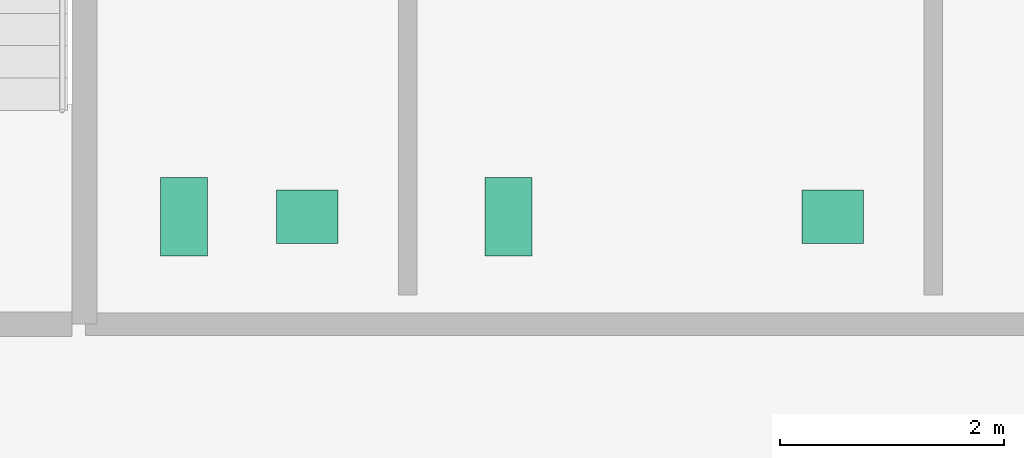
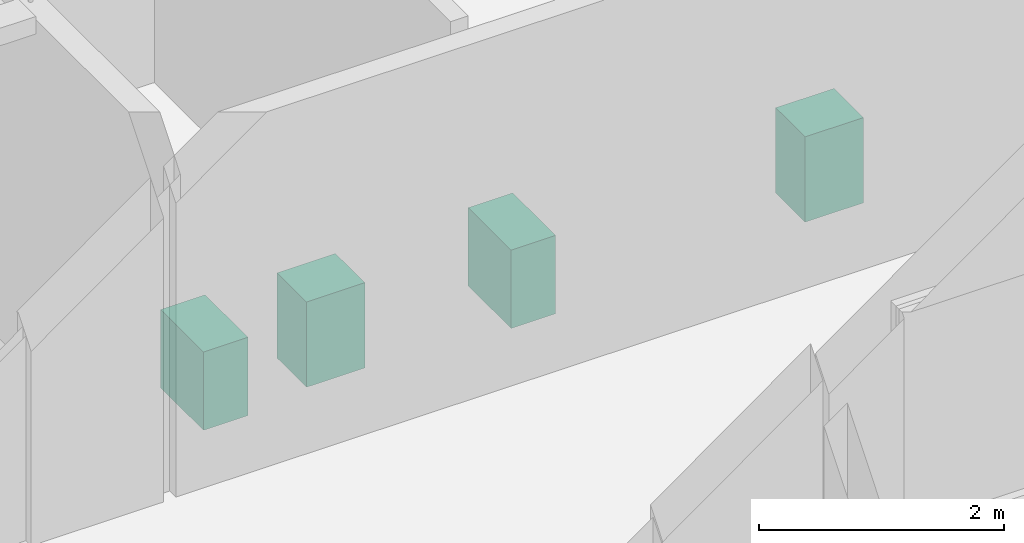
# One storey, part 12 of 12: 4 sanitary terminals.
"""IFC4 building model written with IfcOpenShell, lengths in metres."""

from ifc_helpers import new_model, si_unit, direction, frame, origin, origin_2d, place, context, subcontext, project, spatial, rectangle, extrude, material, type_object, element, save


model = new_model("IFC4")

# Units and contexts
model_context = context("Model", 3, precision=1e-05, world=origin(), true_north=direction((0.0, 1.0)))
body_context = subcontext(model_context, "Body", "Model", "MODEL_VIEW")
ifc_project = project(units=[si_unit("LENGTHUNIT", "METRE"), si_unit("AREAUNIT", "SQUARE_METRE"), si_unit("VOLUMEUNIT", "CUBIC_METRE"), si_unit("PLANEANGLEUNIT", "RADIAN"), si_unit("MASSUNIT", "GRAM", prefix="KILO")], contexts=[model_context])

# Site, building, storey
site_placement = place(None, origin())
site = spatial("IfcSite", under=ifc_project, at=site_placement, CompositionType="ELEMENT")
building_placement = place(site_placement, origin())
building = spatial("IfcBuilding", under=site, at=building_placement, Name="Norrvale University Quadrangle", CompositionType="ELEMENT")
storey_placement = place(building_placement, frame((0.0, 0.0, 182.60009765625)))
storey = spatial("IfcBuildingStorey", under=building, at=storey_placement, Name="L46", CompositionType="ELEMENT", Elevation=182.60009765625)

# Sanitary terminals
ifc_material = material(Name="Vitreous China Sanitaryware")
sanitary_terminal_type_1 = type_object("IfcSanitaryTerminalType", Name="Sanitary Wash Basin", PredefinedType="WASHHANDBASIN", material=ifc_material)
for number, where, z_axis, x_axis, name in (
    (1, (8.300048828125, 41.10009765625, -0.000244140625), (0.0, 0.0, 1.0), (1.0, 0.0, 0.0), "Accessible Countertop Washbasin L46-1"),
    (2, (13.0, 41.10009765625, -0.000244140625), (0.0, 0.0, 1.0), (1.0, 0.0, 0.0), "Accessible Countertop Washbasin L46-2"),
):
    element("IfcSanitaryTerminal", number, at=place(storey_placement, frame(where, z_axis=z_axis, x_axis=x_axis)), inside=storey, type_object=sanitary_terminal_type_1, Name=name, PredefinedType="WASHHANDBASIN", context=body_context, shape_type="SweptSolid", body=[
        extrude(rectangle(XDim=0.550048828125, YDim=0.47998046875, at=origin_2d()), origin(), (0.0, 0.0, 1.0), 0.85009765625),
    ])
sanitary_terminal_type_2 = type_object("IfcSanitaryTerminalType", Name="Sanitary Water Closet", PredefinedType="TOILETPAN", material=ifc_material)
for number, where, z_axis, x_axis, name in (
    (3, (7.199951171875, 41.10009765625, 0.0), (0.0, 0.0, 1.0), (1.0, 0.0, 0.0), "Wall-Hung Water Closet L46-1"),
    (4, (10.10009765625, 41.10009765625, 0.0), (0.0, 0.0, 1.0), (1.0, 0.0, 0.0), "Wall-Hung Water Closet L46-2"),
):
    element("IfcSanitaryTerminal", number, at=place(storey_placement, frame(where, z_axis=z_axis, x_axis=x_axis)), inside=storey, type_object=sanitary_terminal_type_2, Name=name, PredefinedType="TOILETPAN", context=body_context, shape_type="SweptSolid", body=[
        extrude(rectangle(XDim=0.419921875, YDim=0.699951171875, at=origin_2d()), origin(), (0.0, 0.0, 1.0), 0.780029296875),
    ])

save(model, "model.ifc")
